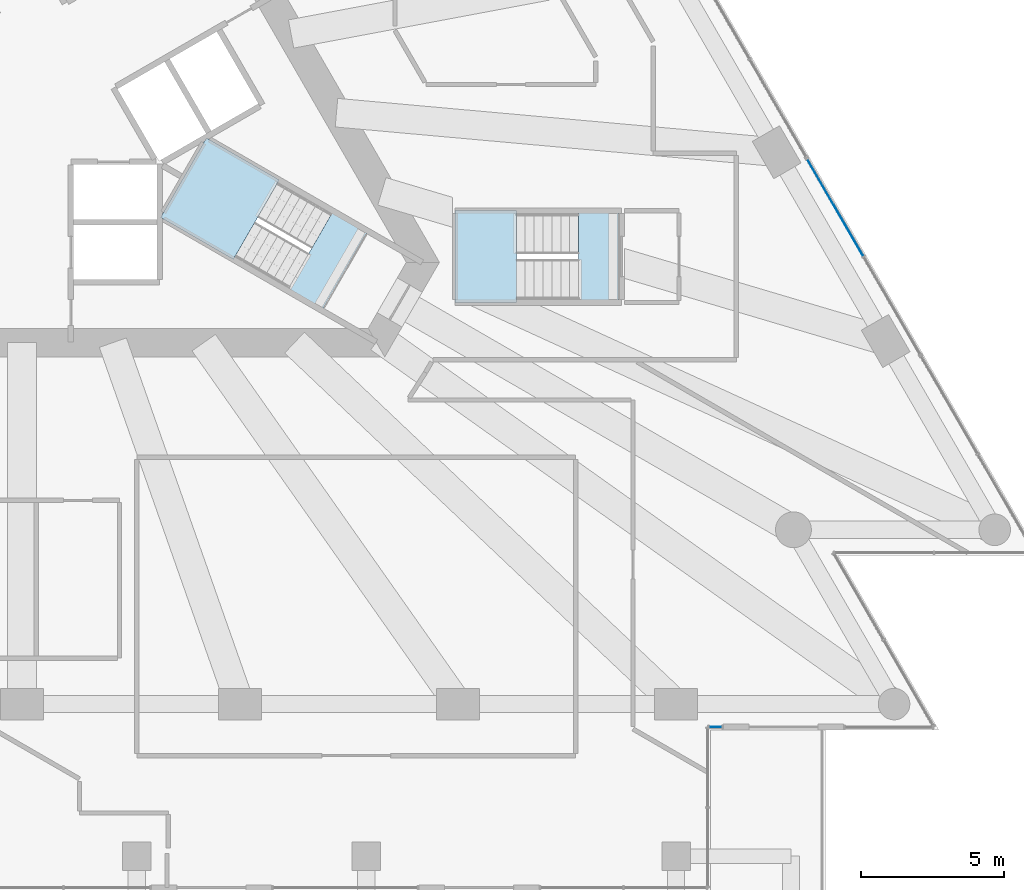
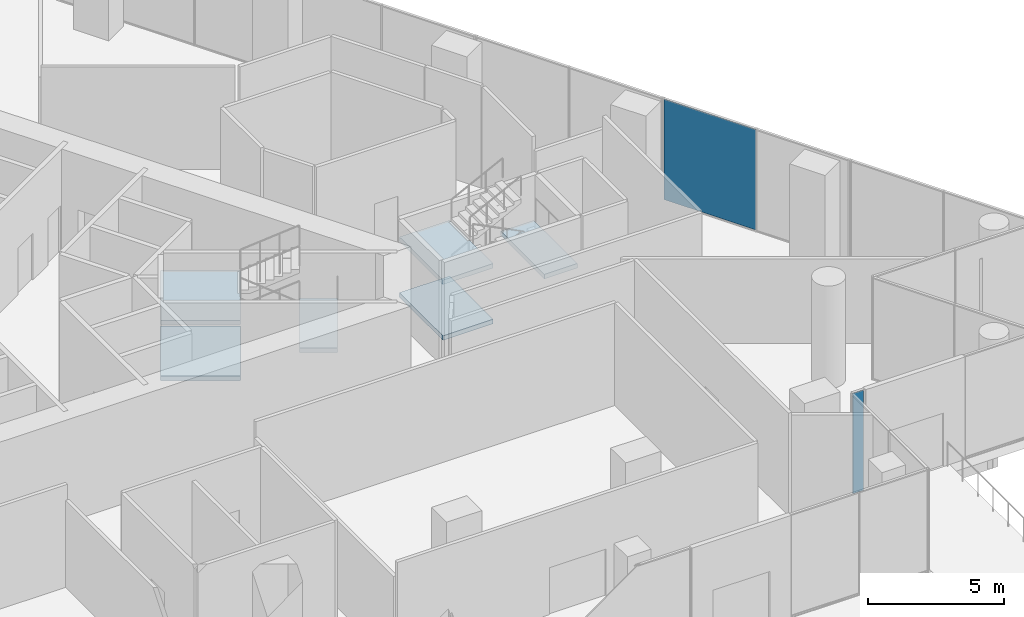
# One storey, part 23 of 32: 6 slabs, 2 plates, 4 elements without a shape of their own.
"""IFC4 building model written with IfcOpenShell, lengths in metres."""

from ifc_helpers import new_model, si_unit, direction, frame, origin, origin_2d, place, context, subcontext, project, spatial, polyline, rectangle, outline, extrude, material, layer, layer_set, type_object, element, aggregate, save


model = new_model("IFC4")

# Units and contexts
model_context = context("Model", 3, precision=1e-05, world=origin(), true_north=direction((0.0, 1.0)))
body_context = subcontext(model_context, "Body", "Model", "MODEL_VIEW")
ifc_project = project(units=[si_unit("LENGTHUNIT", "METRE"), si_unit("AREAUNIT", "SQUARE_METRE"), si_unit("VOLUMEUNIT", "CUBIC_METRE"), si_unit("PLANEANGLEUNIT", "RADIAN"), si_unit("MASSUNIT", "GRAM", prefix="KILO")], contexts=[model_context])

# Site, building, storey
site_placement = place(None, origin())
site = spatial("IfcSite", under=ifc_project, at=site_placement, CompositionType="ELEMENT")
building_placement = place(site_placement, origin())
building = spatial("IfcBuilding", under=site, at=building_placement, Name="Triada Interchange Tower", CompositionType="ELEMENT")
storey_placement = place(building_placement, frame((0.0, 0.0, 25.300048828125)))
storey = spatial("IfcBuildingStorey", under=building, at=storey_placement, Name="L04", CompositionType="ELEMENT", Elevation=25.300048828125)

# Curtain wall, plate
ifc_material_1 = material(Name="Aluminium framed glazing", Category="aluminium")
ifc_layer_1 = layer(ifc_material_1, 0.199951171875)
ifc_layer_set_1 = layer_set([ifc_layer_1], Name="Curtain wall Winter garden glazing")
curtain_wall_type = type_object("IfcCurtainWallType", Name="Curtain wall Winter garden glazing", PredefinedType="NOTDEFINED", material=ifc_layer_set_1)
curtain_wall_1_placement = place(storey_placement, origin())
curtain_wall_1 = element("IfcCurtainWall", 1, at=curtain_wall_1_placement, inside=storey, type_object=curtain_wall_type, Name="Winter garden glazing CW008 L04", PredefinedType="NOTDEFINED")
ifc_material_2 = material(Name="Insulated glazing unit", Category="glass")
ifc_layer_2 = layer(ifc_material_2, 0.02392578125)
ifc_layer_set_2 = layer_set([ifc_layer_2], Name="Glazing panel Winter garden glazing 24")
plate_type = type_object("IfcPlateType", Name="Glazing panel Winter garden glazing 24", PredefinedType="CURTAIN_PANEL", material=ifc_layer_set_2)
plate_1_placement = place(storey_placement, frame((24.1708984375, -22.39990234375, 0.050048828125), z_axis=(0.0, 0.0, 1.0), x_axis=(1.0, 0.0, 0.0)))
plate_1 = element("IfcPlate", 2, at=plate_1_placement, type_object=plate_type, Name="CW008 panel 1.1", PredefinedType="CURTAIN_PANEL", context=body_context, shape_type="SweptSolid", body=[
    extrude(rectangle(XDim=0.44189453125, YDim=0.02392578125, at=origin_2d()), origin(), (0.0, 0.0, 1.0), 4.5),
])
aggregate(curtain_wall_1, [plate_1])

curtain_wall_2_placement = place(storey_placement, origin())
curtain_wall_2 = element("IfcCurtainWall", 3, at=curtain_wall_2_placement, inside=storey, type_object=curtain_wall_type, Name="Winter garden glazing CW013 L04", PredefinedType="NOTDEFINED")
plate_2_placement = place(storey_placement, frame((28.345947265625, -4.2958984375, 0.050048828125), z_axis=(0.0, 0.0, 1.0), x_axis=(-0.499947913852, 0.866055473648, 0.0)))
plate_2 = element("IfcPlate", 4, at=plate_2_placement, type_object=plate_type, Name="CW013 panel 2.1", PredefinedType="CURTAIN_PANEL", context=body_context, shape_type="SweptSolid", body=[
    extrude(rectangle(XDim=3.892333984375, YDim=0.02392578125, at=origin_2d()), origin(), (0.0, 0.0, 1.0), 4.5),
])
aggregate(curtain_wall_2, [plate_2])

# Stair, slabs
ifc_material_3 = material(Name="Concrete C35/45", Category="concrete")
stair_type = type_object("IfcStairType", Name="HALF TURN STAIR 1400", PredefinedType="HALF_TURN_STAIR", material=ifc_material_3)
stair_1_placement = place(storey_placement, origin())
stair_1 = element("IfcStair", 5, at=stair_1_placement, inside=storey, type_object=stair_type, Name="Exit stair S04-3", PredefinedType="HALF_TURN_STAIR")
ifc_layer_3 = layer(ifc_material_3, 0.199951171875)
ifc_layer_set_3 = layer_set([ifc_layer_3], Name="STAIR LANDING 200")
slab_type = type_object("IfcSlabType", Name="STAIR LANDING 200", PredefinedType="LANDING", material=ifc_layer_set_3)
slab_1_placement = place(storey_placement, frame((0.0, 0.0, 1.050048828125)))
slab_1 = element("IfcSlab", 6, at=slab_1_placement, type_object=slab_type, Name="S04-3 landing 1", PredefinedType="LANDING", context=body_context, shape_type="SweptSolid", body=[
    extrude(outline(polyline([(4.8291015625, -4.635986328125), (7.366943359375, -6.10107421875), (8.967041015625, -3.3291015625), (6.428955078125, -1.864013671875), (4.8291015625, -4.635986328125)])), origin(), (0.0, 0.0, 1.0), 0.199951171875),
])
slab_2_placement = place(storey_placement, frame((0.0, 0.0, 3.550048828125)))
slab_2 = element("IfcSlab", 7, at=slab_2_placement, type_object=slab_type, Name="S04-3 landing 2", PredefinedType="LANDING", context=body_context, shape_type="SweptSolid", body=[
    extrude(outline(polyline([(4.8291015625, -4.635986328125), (7.366943359375, -6.10107421875), (8.967041015625, -3.3291015625), (6.428955078125, -1.864013671875), (4.8291015625, -4.635986328125)])), origin(), (0.0, 0.0, 1.0), 0.199951171875),
])
slab_3_placement = place(storey_placement, frame((0.0, 0.0, 2.300048828125)))
slab_3 = element("IfcSlab", 8, at=slab_3_placement, type_object=slab_type, Name="S04-3 landing 3", PredefinedType="LANDING", context=body_context, shape_type="SweptSolid", body=[
    extrude(outline(polyline([(9.24609375, -7.18603515625), (10.4580078125, -7.885986328125), (12.05810546875, -5.114013671875), (10.845947265625, -4.4140625), (9.24609375, -7.18603515625)])), origin(), (0.0, 0.0, 1.0), 0.199951171875),
])
aggregate(stair_1, [slab_1, slab_2, slab_3])

stair_2_placement = place(storey_placement, origin())
stair_2 = element("IfcStair", 9, at=stair_2_placement, inside=storey, type_object=stair_type, Name="Exit stair S04-7", PredefinedType="HALF_TURN_STAIR")
slab_4_placement = place(storey_placement, frame((0.0, 0.0, 1.050048828125)))
slab_4 = element("IfcSlab", 10, at=slab_4_placement, type_object=slab_type, Name="S04-7 landing 1", PredefinedType="LANDING", context=body_context, shape_type="SweptSolid", body=[
    extrude(outline(polyline([(15.10009765625, -7.60009765625), (17.22998046875, -7.60009765625), (17.22998046875, -4.39990234375), (15.10009765625, -4.39990234375), (15.10009765625, -7.60009765625)])), origin(), (0.0, 0.0, 1.0), 0.199951171875),
])
slab_5_placement = place(storey_placement, frame((0.0, 0.0, 3.550048828125)))
slab_5 = element("IfcSlab", 11, at=slab_5_placement, type_object=slab_type, Name="S04-7 landing 2", PredefinedType="LANDING", context=body_context, shape_type="SweptSolid", body=[
    extrude(outline(polyline([(15.10009765625, -7.60009765625), (17.22998046875, -7.60009765625), (17.22998046875, -4.39990234375), (15.10009765625, -4.39990234375), (15.10009765625, -7.60009765625)])), origin(), (0.0, 0.0, 1.0), 0.199951171875),
])
slab_6_placement = place(storey_placement, frame((0.0, 0.0, 2.300048828125)))
slab_6 = element("IfcSlab", 12, at=slab_6_placement, type_object=slab_type, Name="S04-7 landing 3", PredefinedType="LANDING", context=body_context, shape_type="SweptSolid", body=[
    extrude(outline(polyline([(19.39990234375, -7.60009765625), (20.800048828125, -7.60009765625), (20.800048828125, -4.39990234375), (19.39990234375, -4.39990234375), (19.39990234375, -7.60009765625)])), origin(), (0.0, 0.0, 1.0), 0.199951171875),
])
aggregate(stair_2, [slab_4, slab_5, slab_6])

save(model, "model.ifc")
